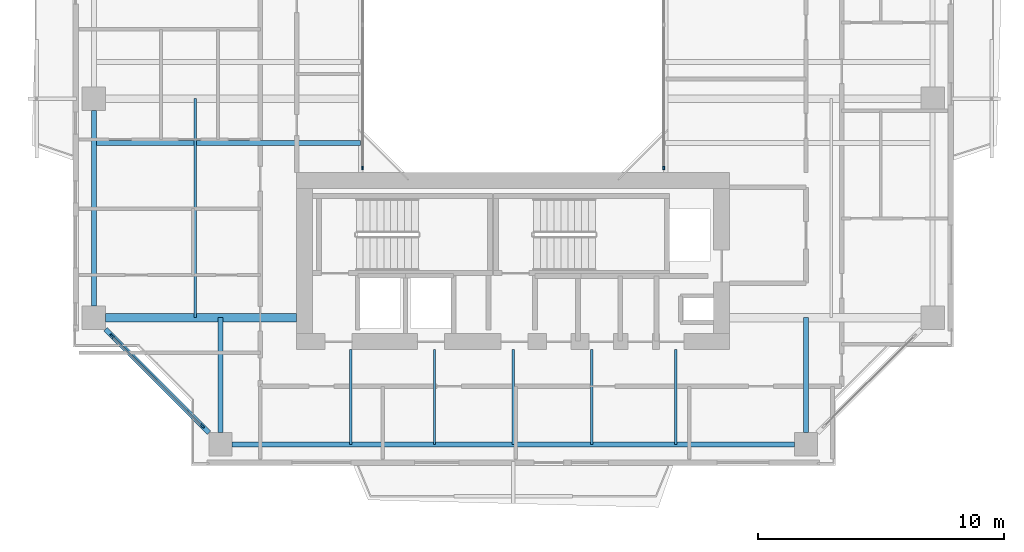
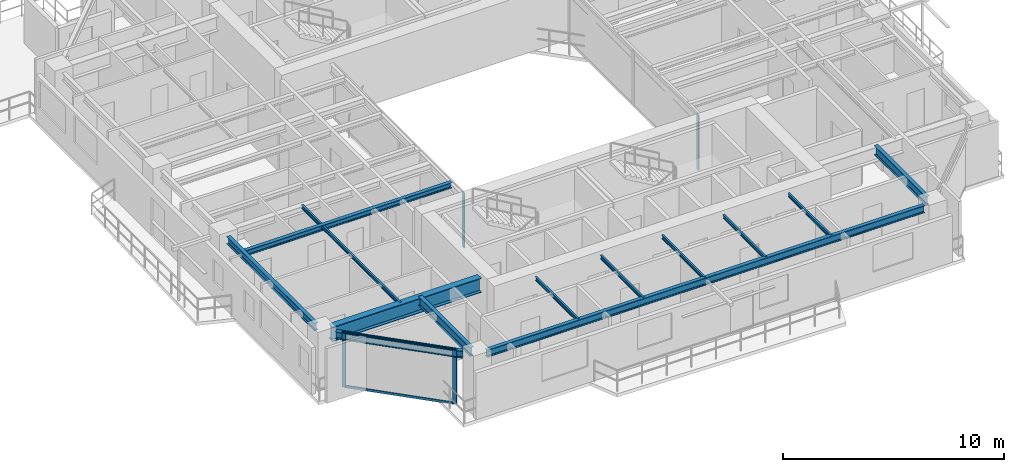
# One storey, part 2 of 18: 13 beams, 6 members, 3 elements without a shape of their own.
"""IFC4 building model written with IfcOpenShell, lengths in metres."""

from ifc_helpers import new_model, si_unit, direction, frame, origin, origin_2d, place, context, subcontext, project, spatial, rectangle, i_section, extrude, source, transform, mapped, material, layer, layer_set, material_profile, profile_set, type_object, element, aggregate, save


model = new_model("IFC4")

# Units and contexts
model_context = context("Model", 3, precision=1e-05, world=origin(), true_north=direction((0.0, 1.0)))
body_context = subcontext(model_context, "Body", "Model", "MODEL_VIEW")
ifc_project = project(units=[si_unit("LENGTHUNIT", "METRE"), si_unit("AREAUNIT", "SQUARE_METRE"), si_unit("VOLUMEUNIT", "CUBIC_METRE"), si_unit("PLANEANGLEUNIT", "RADIAN"), si_unit("MASSUNIT", "GRAM", prefix="KILO"), si_unit("THERMODYNAMICTEMPERATUREUNIT", "KELVIN"), si_unit("POWERUNIT", "WATT")], contexts=[model_context])

# Site, building, storey
site_placement = place(None, origin())
site = spatial("IfcSite", under=ifc_project, at=site_placement, CompositionType="ELEMENT")
building_placement = place(site_placement, origin())
building = spatial("IfcBuilding", under=site, at=building_placement, Name="Qiaomeng Ring Towers", CompositionType="ELEMENT")
storey_placement = place(building_placement, frame((0.0, 0.0, 182.75)))
storey = spatial("IfcBuildingStorey", under=building, at=storey_placement, Name="L53", CompositionType="ELEMENT", Elevation=182.75)

# Beams
ifc_material_1 = material(Name="Steel Q355B", Category="steel")
ifc_material_profile_1 = material_profile(ifc_material_1, i_section(OverallWidth=0.10009765625, OverallDepth=0.199951171875, WebThickness=0.005615234375, FlangeThickness=0.008056640625, FilletRadius=0.010986328125, at=origin_2d()), Name="HN 200x100x5.5x8")
ifc_profile_set_1 = profile_set([ifc_material_profile_1], Name="Steel Q355B")
beam_type_1 = type_object("IfcBeamType", Name="STR-BM-HN200", PredefinedType="JOIST", material=ifc_profile_set_1)
shared_shape_1 = source(origin(), body_context, "Body", "SweptSolid", [
    extrude(i_section(OverallWidth=0.10009765625, OverallDepth=0.199951171875, WebThickness=0.005615234375, FlangeThickness=0.008056640625, FilletRadius=0.010986328125, at=origin_2d()), origin(), (0.0, 0.0, 1.0), 3.85009765625),
])
for number, where, z_axis, x_axis, name in (
    (1, (12.39990234375, 5.949951171875, 2.929931640625), (0.0, 1.0, 0.0), (-1.0, 0.0, 0.0), "L53 beam STR-JST-L53-T1S-1"),
    (2, (15.800048828125, 5.949951171875, 2.929931640625), (0.0, 1.0, 0.0), (-1.0, 0.0, 0.0), "L53 beam STR-JST-L53-T1S-2"),
    (3, (19.0, 5.949951171875, 2.929931640625), (0.0, 1.0, 0.0), (-1.0, 0.0, 0.0), "L53 beam STR-JST-L53-T1S-3"),
    (4, (22.199951171875, 5.949951171875, 2.929931640625), (0.0, 1.0, 0.0), (-1.0, 0.0, 0.0), "L53 beam STR-JST-L53-T1S-4"),
    (5, (25.60009765625, 5.949951171875, 2.929931640625), (0.0, 1.0, 0.0), (-1.0, 0.0, 0.0), "L53 beam STR-JST-L53-T1S-5"),
):
    element("IfcBeam", number, at=place(storey_placement, frame(where, z_axis=z_axis, x_axis=x_axis)), inside=storey, type_object=beam_type_1, Name=name, PredefinedType="JOIST", context=body_context, shape_type="MappedRepresentation", body=[
        mapped(shared_shape_1, transform((0.0, 0.0, 0.0), x_axis=(1.0, 0.0, 0.0), y_axis=(0.0, 1.0, 0.0), z_axis=(0.0, 0.0, 1.0), scale=1.0)),
    ])
ifc_material_profile_2 = material_profile(ifc_material_1, i_section(OverallWidth=0.199951171875, OverallDepth=0.2939453125, WebThickness=0.008056640625, FlangeThickness=0.011962890625, FilletRadius=0.01806640625, at=origin_2d()), Name="HM 294x200x8x12")
ifc_profile_set_2 = profile_set([ifc_material_profile_2], Name="Steel Q355B")
beam_type_2 = type_object("IfcBeamType", Name="STR-BM-HM294", PredefinedType="JOIST", material=ifc_profile_set_2)
shared_shape_2 = source(origin(), body_context, "Body", "SweptSolid", [
    extrude(i_section(OverallWidth=0.199951171875, OverallDepth=0.2939453125, WebThickness=0.008056640625, FlangeThickness=0.011962890625, FilletRadius=0.01806640625, at=origin_2d()), origin(), (0.0, 0.0, 1.0), 10.85009765625),
])
beam_1_placement = place(storey_placement, frame((1.949951171875, 18.199951171875, 2.883056640625), z_axis=(1.0, 0.0, 0.0), x_axis=(0.0, 1.0, 0.0)))
element("IfcBeam", 6, at=beam_1_placement, inside=storey, type_object=beam_type_2, Name="L53 beam STR-JST-L53-T1W-1", PredefinedType="JOIST", context=body_context, shape_type="MappedRepresentation", body=[
    mapped(shared_shape_2, transform((0.0, 0.0, 0.0), x_axis=(1.0, 0.0, 0.0), y_axis=(0.0, 1.0, 0.0), z_axis=(0.0, 0.0, 1.0), scale=1.0)),
])
shared_shape_3 = source(origin(), body_context, "Body", "SweptSolid", [
    extrude(i_section(OverallWidth=0.10009765625, OverallDepth=0.199951171875, WebThickness=0.005615234375, FlangeThickness=0.008056640625, FilletRadius=0.010986328125, at=origin_2d()), origin(), (0.0, 0.0, 1.0), 8.89990234375),
])
beam_2_placement = place(storey_placement, frame((6.074951171875, 11.10009765625, 2.929931640625), z_axis=(0.0, 1.0, 0.0), x_axis=(-1.0, 0.0, 0.0)))
element("IfcBeam", 7, at=beam_2_placement, inside=storey, type_object=beam_type_1, Name="L53 beam STR-JST-L53-T1C-WS", PredefinedType="JOIST", context=body_context, shape_type="MappedRepresentation", body=[
    mapped(shared_shape_3, transform((0.0, 0.0, 0.0), x_axis=(1.0, 0.0, 0.0), y_axis=(0.0, 1.0, 0.0), z_axis=(0.0, 0.0, 1.0), scale=1.0)),
])
ifc_material_profile_3 = material_profile(ifc_material_1, i_section(OverallWidth=0.199951171875, OverallDepth=0.39990234375, WebThickness=0.008056640625, FlangeThickness=0.012939453125, FilletRadius=0.01611328125, at=origin_2d()), Name="HN 400x200x8x13")
ifc_profile_set_3 = profile_set([ifc_material_profile_3], Name="Steel Q355B")
beam_type_3 = type_object("IfcBeamType", Name="STR-BM-HN400", PredefinedType="SPANDREL", material=ifc_profile_set_3)
shared_shape_4 = source(origin(), body_context, "Body", "SweptSolid", [
    extrude(i_section(OverallWidth=0.199951171875, OverallDepth=0.39990234375, WebThickness=0.008056640625, FlangeThickness=0.012939453125, FilletRadius=0.01611328125, at=origin_2d()), origin(), (0.0, 0.0, 1.0), 22.85205078125),
])
beam_3_placement = place(storey_placement, frame((7.573974609375, 5.949951171875, 2.830078125), z_axis=(1.0, 0.0, 0.0), x_axis=(0.0, 1.0, 0.0)))
element("IfcBeam", 8, at=beam_3_placement, inside=storey, type_object=beam_type_3, Name="L53 beam STR-SP-L53-T1-S1-S2", PredefinedType="SPANDREL", context=body_context, shape_type="MappedRepresentation", body=[
    mapped(shared_shape_4, transform((0.0, 0.0, 0.0), x_axis=(1.0, 0.0, 0.0), y_axis=(0.0, 1.0, 0.0), z_axis=(0.0, 0.0, 1.0), scale=1.0)),
])
shared_shape_5 = source(origin(), body_context, "Body", "SweptSolid", [
    extrude(i_section(OverallWidth=0.199951171875, OverallDepth=0.39990234375, WebThickness=0.008056640625, FlangeThickness=0.012939453125, FilletRadius=0.01611328125, at=origin_2d()), origin(), (0.0, 0.0, 1.0), 5.941650390625),
])
beam_4_placement = place(storey_placement, frame((2.42431640625, 10.625732421875, 2.830078125), z_axis=(0.707106781187, -0.707106781187, 0.0), x_axis=(0.707106781187, 0.707106781187, 0.0)))
element("IfcBeam", 9, at=beam_4_placement, inside=storey, type_object=beam_type_3, Name="L53 beam STR-SP-L53-T1-W1-S1", PredefinedType="SPANDREL", context=body_context, shape_type="MappedRepresentation", body=[
    mapped(shared_shape_5, transform((0.0, 0.0, 0.0), x_axis=(1.0, 0.0, 0.0), y_axis=(0.0, 1.0, 0.0), z_axis=(0.0, 0.0, 1.0), scale=1.0)),
])
shared_shape_6 = source(origin(), body_context, "Body", "SweptSolid", [
    extrude(i_section(OverallWidth=0.199951171875, OverallDepth=0.39990234375, WebThickness=0.008056640625, FlangeThickness=0.012939453125, FilletRadius=0.01611328125, at=origin_2d()), origin(), (0.0, 0.0, 1.0), 7.951904296875),
])
beam_5_placement = place(storey_placement, frame((1.949951171875, 19.52587890625, 2.830078125), z_axis=(0.0, -1.0, 0.0), x_axis=(1.0, 0.0, 0.0)))
element("IfcBeam", 10, at=beam_5_placement, inside=storey, type_object=beam_type_3, Name="L53 beam STR-SP-L53-T1-W2-W1", PredefinedType="SPANDREL", context=body_context, shape_type="MappedRepresentation", body=[
    mapped(shared_shape_6, transform((0.0, 0.0, 0.0), x_axis=(1.0, 0.0, 0.0), y_axis=(0.0, 1.0, 0.0), z_axis=(0.0, 0.0, 1.0), scale=1.0)),
])
ifc_material_2 = material(Name="Steel Q390GJC", Category="steel")
ifc_material_profile_4 = material_profile(ifc_material_2, i_section(OverallWidth=0.35009765625, OverallDepth=0.800048828125, WebThickness=0.01611328125, FlangeThickness=0.028076171875, at=origin_2d()), Name="WH 800x350x16x28")
ifc_profile_set_4 = profile_set([ifc_material_profile_4], Name="Steel Q390GJC")
beam_type_4 = type_object("IfcBeamType", Name="STR-BM-WH800", PredefinedType="BEAM", material=ifc_profile_set_4)
shared_shape_7 = source(origin(), body_context, "Body", "SweptSolid", [
    extrude(i_section(OverallWidth=0.35009765625, OverallDepth=0.800048828125, WebThickness=0.01611328125, FlangeThickness=0.028076171875, at=origin_2d()), origin(), (0.0, 0.0, 1.0), 7.77587890625),
])
beam_6_placement = place(storey_placement, frame((2.424072265625, 11.10009765625, 2.6298828125), z_axis=(1.0, 0.0, 0.0), x_axis=(0.0, 1.0, 0.0)))
element("IfcBeam", 11, at=beam_6_placement, inside=storey, type_object=beam_type_4, Name="L53 beam STR-BM-L53-T1-RAD-W1", PredefinedType="BEAM", context=body_context, shape_type="MappedRepresentation", body=[
    mapped(shared_shape_7, transform((0.0, 0.0, 0.0), x_axis=(1.0, 0.0, 0.0), y_axis=(0.0, 1.0, 0.0), z_axis=(0.0, 0.0, 1.0), scale=1.0)),
])
ifc_material_profile_5 = material_profile(ifc_material_1, i_section(OverallWidth=0.199951171875, OverallDepth=0.5, WebThickness=0.010009765625, FlangeThickness=0.01611328125, FilletRadius=0.02001953125, at=origin_2d()), Name="HN 500x200x10x16")
ifc_profile_set_5 = profile_set([ifc_material_profile_5], Name="Steel Q355B")
beam_type_5 = type_object("IfcBeamType", Name="STR-BM-HN500", PredefinedType="BEAM", material=ifc_profile_set_5)
shared_shape_8 = source(origin(), body_context, "Body", "SweptSolid", [
    extrude(i_section(OverallWidth=0.199951171875, OverallDepth=0.5, WebThickness=0.010009765625, FlangeThickness=0.01611328125, FilletRadius=0.02001953125, at=origin_2d()), origin(), (0.0, 0.0, 1.0), 4.676025390625),
])
for number, where, z_axis, x_axis, name in (
    (12, (7.10009765625, 6.424072265625, 2.780029296875), (0.0, 1.0, 0.0), (-1.0, 0.0, 0.0), "L53 beam STR-BM-L53-T1-RAD-S1"),
    (13, (30.89990234375, 6.424072265625, 2.780029296875), (0.0, 1.0, 0.0), (-1.0, 0.0, 0.0), "L53 beam STR-BM-L53-T1-RAD-S2"),
):
    element("IfcBeam", number, at=place(storey_placement, frame(where, z_axis=z_axis, x_axis=x_axis)), inside=storey, type_object=beam_type_5, Name=name, PredefinedType="BEAM", context=body_context, shape_type="MappedRepresentation", body=[
        mapped(shared_shape_8, transform((0.0, 0.0, 0.0), x_axis=(1.0, 0.0, 0.0), y_axis=(0.0, 1.0, 0.0), z_axis=(0.0, 0.0, 1.0), scale=1.0)),
    ])

# Curtain wall, member
ifc_material_3 = material(Name="Fluorocarbon dark-grey aluminium", Category="aluminium")
ifc_layer_1 = layer(ifc_material_3, 0.139892578125, Name="Fluorocarbon dark-grey aluminium")
ifc_layer_set_1 = layer_set([ifc_layer_1], Name="Fluorocarbon dark-grey aluminium")
curtain_wall_type_1 = type_object("IfcCurtainWallType", Name="ARC-CW-4", PredefinedType="NOTDEFINED", material=ifc_layer_set_1)
curtain_wall_1_placement = place(storey_placement, origin())
curtain_wall_1 = element("IfcCurtainWall", 14, at=curtain_wall_1_placement, inside=storey, type_object=curtain_wall_type_1, Name="L53 Curtain Wall CW4", PredefinedType="NOTDEFINED")
ifc_material_profile_6 = material_profile(ifc_material_3, rectangle(XDim=0.06494140625, YDim=0.159912109375, at=origin_2d()), Name="ALU MULL 65x160")
ifc_profile_set_6 = profile_set([ifc_material_profile_6], Name="Fluorocarbon dark-grey aluminium")
member_type_1 = type_object("IfcMemberType", Name="ARC-CWM-140", PredefinedType="MULLION", material=ifc_profile_set_6)
shared_shape_9 = source(origin(), body_context, "Body", "SweptSolid", [
    extrude(rectangle(XDim=0.06494140625, YDim=0.159912109375, at=origin_2d()), origin(), (0.0, 0.0, 1.0), 3.030029296875),
])
member_1_placement = place(storey_placement, frame((12.8798828125, 17.1826171875, 0.0), z_axis=(0.0, 0.0, 1.0), x_axis=(-1.0, 0.0, 0.0)))
member_1 = element("IfcMember", 15, at=member_1_placement, type_object=member_type_1, Name="CW4 mullion 1", PredefinedType="MULLION", context=body_context, shape_type="MappedRepresentation", body=[
    mapped(shared_shape_9, transform((0.0, 0.0, 0.0), x_axis=(1.0, 0.0, 0.0), y_axis=(0.0, 1.0, 0.0), z_axis=(0.0, 0.0, 1.0), scale=1.0)),
])
aggregate(curtain_wall_1, [member_1])

curtain_wall_2_placement = place(storey_placement, origin())
curtain_wall_2 = element("IfcCurtainWall", 16, at=curtain_wall_2_placement, inside=storey, type_object=curtain_wall_type_1, Name="L53 Curtain Wall CW4", PredefinedType="NOTDEFINED")
member_2_placement = place(storey_placement, frame((25.1201171875, 17.1826171875, 0.0), z_axis=(0.0, 0.0, 1.0), x_axis=(-1.0, 0.0, 0.0)))
member_2 = element("IfcMember", 17, at=member_2_placement, type_object=member_type_1, Name="CW4 mullion 1", PredefinedType="MULLION", context=body_context, shape_type="MappedRepresentation", body=[
    mapped(shared_shape_9, transform((0.0, 0.0, 0.0), x_axis=(1.0, 0.0, 0.0), y_axis=(0.0, 1.0, 0.0), z_axis=(0.0, 0.0, 1.0), scale=1.0)),
])
aggregate(curtain_wall_2, [member_2])

# Curtain wall, members
ifc_layer_2 = layer(ifc_material_3, 0.14990234375, Name="Fluorocarbon dark-grey aluminium")
ifc_layer_set_2 = layer_set([ifc_layer_2], Name="Fluorocarbon dark-grey aluminium")
curtain_wall_type_2 = type_object("IfcCurtainWallType", Name="ARC-CW-3", PredefinedType="NOTDEFINED", material=ifc_layer_set_2)
curtain_wall_3_placement = place(storey_placement, origin())
curtain_wall_3 = element("IfcCurtainWall", 18, at=curtain_wall_3_placement, inside=storey, type_object=curtain_wall_type_2, Name="L53 Curtain Wall CW3", PredefinedType="NOTDEFINED")
ifc_material_profile_7 = material_profile(ifc_material_3, rectangle(XDim=0.070068359375, YDim=0.179931640625, at=origin_2d()), Name="ALU MULL 70x180")
ifc_profile_set_7 = profile_set([ifc_material_profile_7], Name="Fluorocarbon dark-grey aluminium")
member_type_2 = type_object("IfcMemberType", Name="ARC-CWM-160", PredefinedType="MULLION", material=ifc_profile_set_7)
shared_shape_10 = source(origin(), body_context, "Body", "SweptSolid", [
    extrude(rectangle(XDim=0.070068359375, YDim=0.179931640625, at=origin_2d()), origin(), (0.0, 0.0, 1.0), 3.030029296875),
])
member_3_placement = place(storey_placement, frame((2.689697265625, 10.3603515625, 0.0), z_axis=(0.0, 0.0, 1.0), x_axis=(0.707106781187, 0.707106781187, 0.0)))
member_3 = element("IfcMember", 19, at=member_3_placement, type_object=member_type_2, Name="CW3 mullion 1", PredefinedType="MULLION", context=body_context, shape_type="MappedRepresentation", body=[
    mapped(shared_shape_10, transform((0.0, 0.0, 0.0), x_axis=(1.0, 0.0, 0.0), y_axis=(0.0, 1.0, 0.0), z_axis=(0.0, 0.0, 1.0), scale=1.0)),
])
member_4_placement = place(storey_placement, frame((6.3603515625, 6.689697265625, 0.0), z_axis=(0.0, 0.0, 1.0), x_axis=(0.707106781187, 0.707106781187, 0.0)))
member_4 = element("IfcMember", 20, at=member_4_placement, type_object=member_type_2, Name="CW3 mullion 2", PredefinedType="MULLION", context=body_context, shape_type="MappedRepresentation", body=[
    mapped(shared_shape_10, transform((0.0, 0.0, 0.0), x_axis=(1.0, 0.0, 0.0), y_axis=(0.0, 1.0, 0.0), z_axis=(0.0, 0.0, 1.0), scale=1.0)),
])
ifc_material_profile_8 = material_profile(ifc_material_3, rectangle(XDim=0.06494140625, YDim=0.1298828125, at=origin_2d()), Name="ALU TRAN 65x130")
ifc_profile_set_8 = profile_set([ifc_material_profile_8], Name="Fluorocarbon dark-grey aluminium")
member_type_3 = type_object("IfcMemberType", Name="ARC-CWT-120", PredefinedType="USERDEFINED", material=ifc_profile_set_8)
shared_shape_11 = source(origin(), body_context, "Body", "SweptSolid", [
    extrude(rectangle(XDim=0.06494140625, YDim=0.1298828125, at=origin_2d()), origin(), (0.0, 0.0, 1.0), 5.12060546875),
])
member_5_placement = place(storey_placement, frame((2.714599609375, 10.33544921875, 0.032470703125), z_axis=(0.707106781187, -0.707106781187, 0.0), x_axis=(0.707106781187, 0.707106781187, 0.0)))
member_5 = element("IfcMember", 21, at=member_5_placement, type_object=member_type_3, Name="CW3 transom 1.1", ObjectType="TRANSOM", PredefinedType="USERDEFINED", context=body_context, shape_type="MappedRepresentation", body=[
    mapped(shared_shape_11, transform((0.0, 0.0, 0.0), x_axis=(1.0, 0.0, 0.0), y_axis=(0.0, 1.0, 0.0), z_axis=(0.0, 0.0, 1.0), scale=1.0)),
])
member_6_placement = place(storey_placement, frame((2.714599609375, 10.33544921875, 2.99755859375), z_axis=(0.707106781187, -0.707106781187, 0.0), x_axis=(0.707106781187, 0.707106781187, 0.0)))
member_6 = element("IfcMember", 22, at=member_6_placement, type_object=member_type_3, Name="CW3 transom 1.2", ObjectType="TRANSOM", PredefinedType="USERDEFINED", context=body_context, shape_type="MappedRepresentation", body=[
    mapped(shared_shape_11, transform((0.0, 0.0, 0.0), x_axis=(1.0, 0.0, 0.0), y_axis=(0.0, 1.0, 0.0), z_axis=(0.0, 0.0, 1.0), scale=1.0)),
])
aggregate(curtain_wall_3, [member_3, member_4, member_5, member_6])

save(model, "model.ifc")
